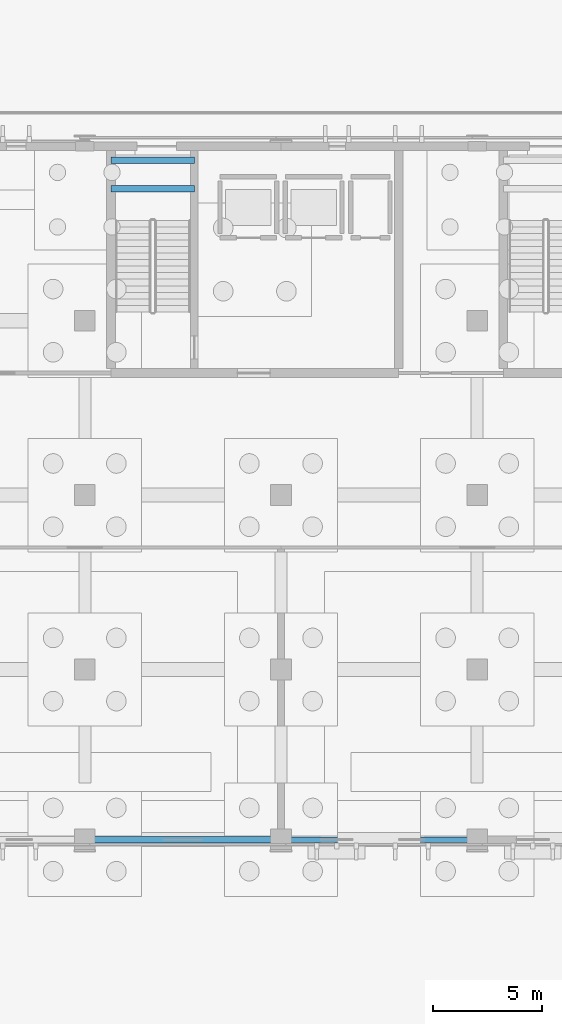
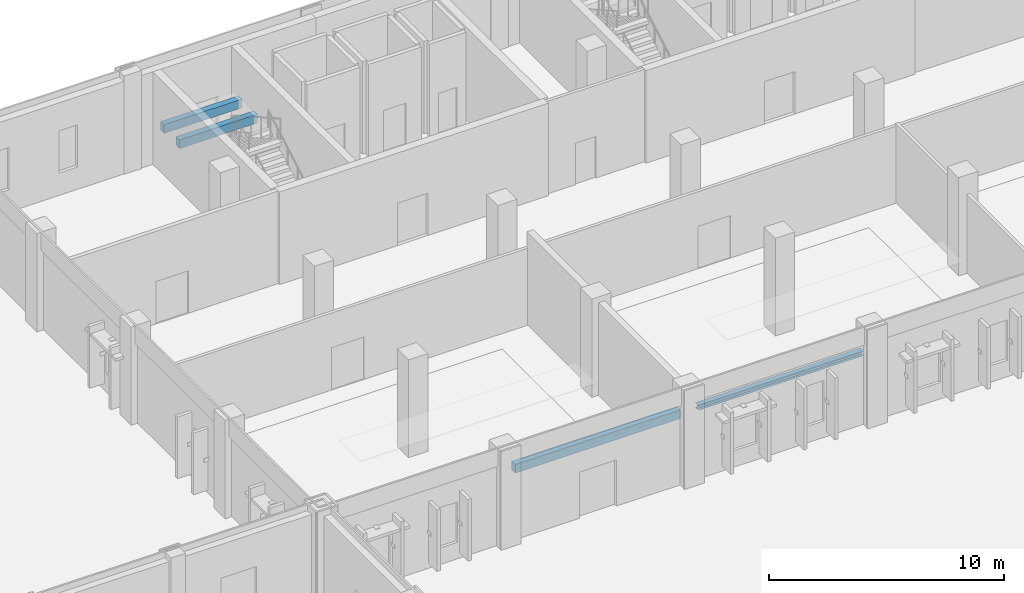
# One storey, part 44 of 94: 4 beams.
"""IFC4 building model written with IfcOpenShell, lengths in metres."""

from ifc_helpers import new_model, si_unit, direction, frame, origin, origin_2d, place, context, subcontext, project, spatial, rectangle, i_section, extrude, material, material_profile, profile_set, type_object, element, save


model = new_model("IFC4")

# Units and contexts
model_context = context("Model", 3, precision=1e-05, world=origin(), true_north=direction((0.0, 1.0)))
body_context = subcontext(model_context, "Body", "Model", "MODEL_VIEW")
ifc_project = project(units=[si_unit("LENGTHUNIT", "METRE"), si_unit("AREAUNIT", "SQUARE_METRE"), si_unit("VOLUMEUNIT", "CUBIC_METRE"), si_unit("PLANEANGLEUNIT", "RADIAN"), si_unit("MASSUNIT", "GRAM", prefix="KILO")], contexts=[model_context])

# Site, building, storey
site_placement = place(None, origin())
site = spatial("IfcSite", under=ifc_project, at=site_placement, CompositionType="ELEMENT")
building_placement = place(site_placement, origin())
building = spatial("IfcBuilding", under=site, at=building_placement, Name="Vervanel Yard Central Library", CompositionType="ELEMENT")
storey_placement = place(building_placement, origin())
storey = spatial("IfcBuildingStorey", under=building, at=storey_placement, Name="L00", CompositionType="ELEMENT", Elevation=0.0)

# Beams
ifc_material_1 = material(Name="Concrete C40/50", Category="concrete")
ifc_material_profile_1 = material_profile(ifc_material_1, rectangle(XDim=0.300048828125, YDim=0.449951171875, at=origin_2d()), Name="RC 300x450", Category="concrete")
ifc_profile_set_1 = profile_set([ifc_material_profile_1], Name="Concrete C40/50")
beam_type_1 = type_object("IfcBeamType", Name="Concrete Opening Lintel 300x450", PredefinedType="LINTEL", material=ifc_profile_set_1)
beam_1_placement = place(storey_placement, frame((45.449951171875, 82.199951171875, 3.64990234375), z_axis=(1.0, 0.0, 0.0), x_axis=(0.0, 1.0, 0.0)))
element("IfcBeam", 1, at=beam_1_placement, inside=storey, type_object=beam_type_1, Name="L00 Portal Opening Lintel 2", PredefinedType="LINTEL", context=body_context, shape_type="SweptSolid", body=[
    extrude(rectangle(XDim=0.300048828125, YDim=0.449951171875, at=origin_2d()), origin(), (0.0, 0.0, 1.0), 8.10009765625),
])
for number, where, z_axis, x_axis, name in (
    (2, (46.199951171875, 112.050048828125, 2.125), (1.0, 0.0, 0.0), (0.0, 1.0, 0.0), "L00 CORE-A Stair Landing Beam 1"),
    (3, (46.199951171875, 113.35009765625, 2.125), (1.0, 0.0, 0.0), (0.0, 1.0, 0.0), "L00 CORE-A Stair Landing Beam 2"),
):
    element("IfcBeam", number, at=place(storey_placement, frame(where, z_axis=z_axis, x_axis=x_axis)), inside=storey, type_object=beam_type_1, Name=name, PredefinedType="LINTEL", context=body_context, shape_type="SweptSolid", body=[
        extrude(rectangle(XDim=0.300048828125, YDim=0.449951171875, at=origin_2d()), origin(), (0.0, 0.0, 1.0), 3.824951171875),
    ])
ifc_material_2 = material(Name="Steel ASTM A992 Grade 50", Category="steel")
ifc_material_profile_2 = material_profile(ifc_material_2, i_section(OverallWidth=0.25390625, OverallDepth=0.25390625, WebThickness=0.008544921875, FlangeThickness=0.01416015625, at=origin_2d()), Name="W10X49", Category="steel")
ifc_profile_set_2 = profile_set([ifc_material_profile_2], Name="Steel ASTM A992 Grade 50")
beam_type_2 = type_object("IfcBeamType", Name="Steel Opening Lintel W10X49", PredefinedType="LINTEL", material=ifc_profile_set_2)
beam_2_placement = place(storey_placement, frame((54.449951171875, 82.199951171875, 3.64990234375), z_axis=(1.0, 0.0, 0.0), x_axis=(0.0, 1.0, 0.0)))
element("IfcBeam", 4, at=beam_2_placement, inside=storey, type_object=beam_type_2, Name="L00 Portal Opening Lintel 3", PredefinedType="LINTEL", context=body_context, shape_type="SweptSolid", body=[
    extrude(i_section(OverallWidth=0.25390625, OverallDepth=0.25390625, WebThickness=0.008544921875, FlangeThickness=0.01416015625, at=origin_2d()), origin(), (0.0, 0.0, 1.0), 8.10009765625),
])

save(model, "model.ifc")
